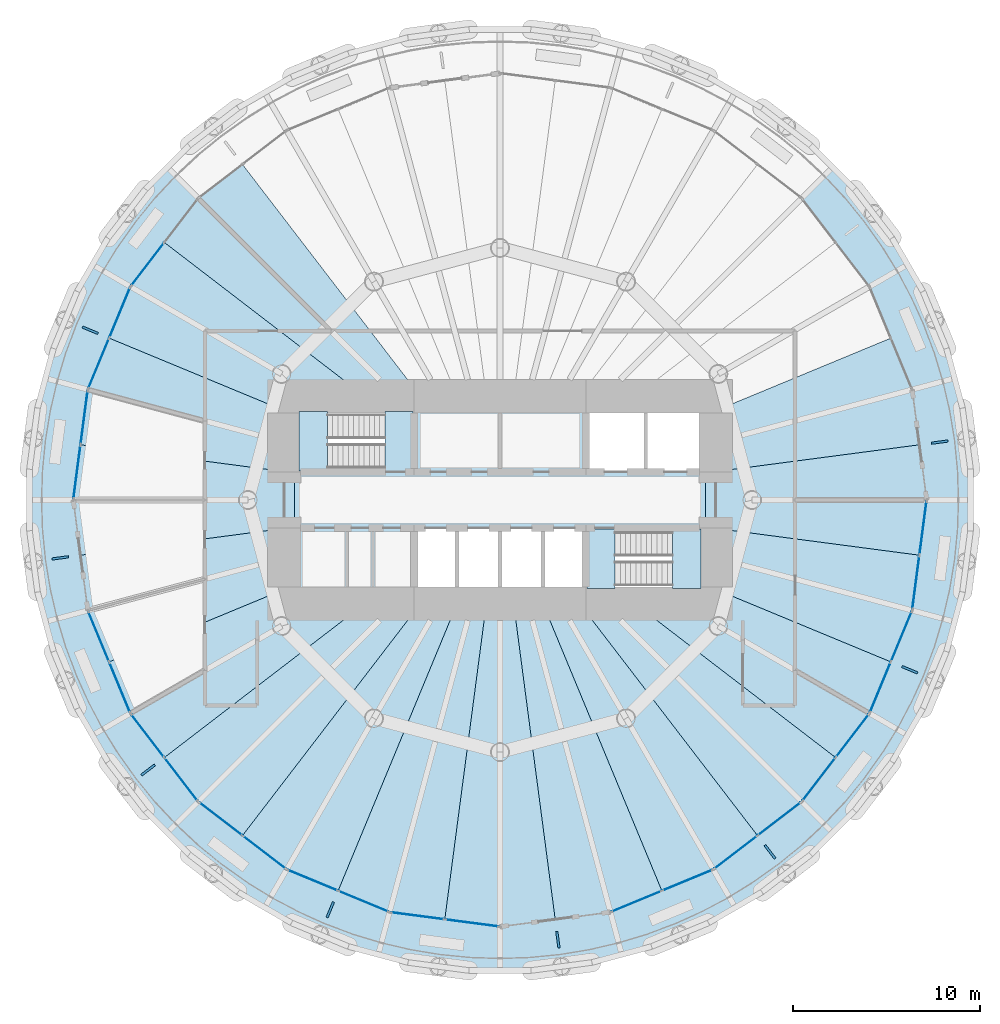
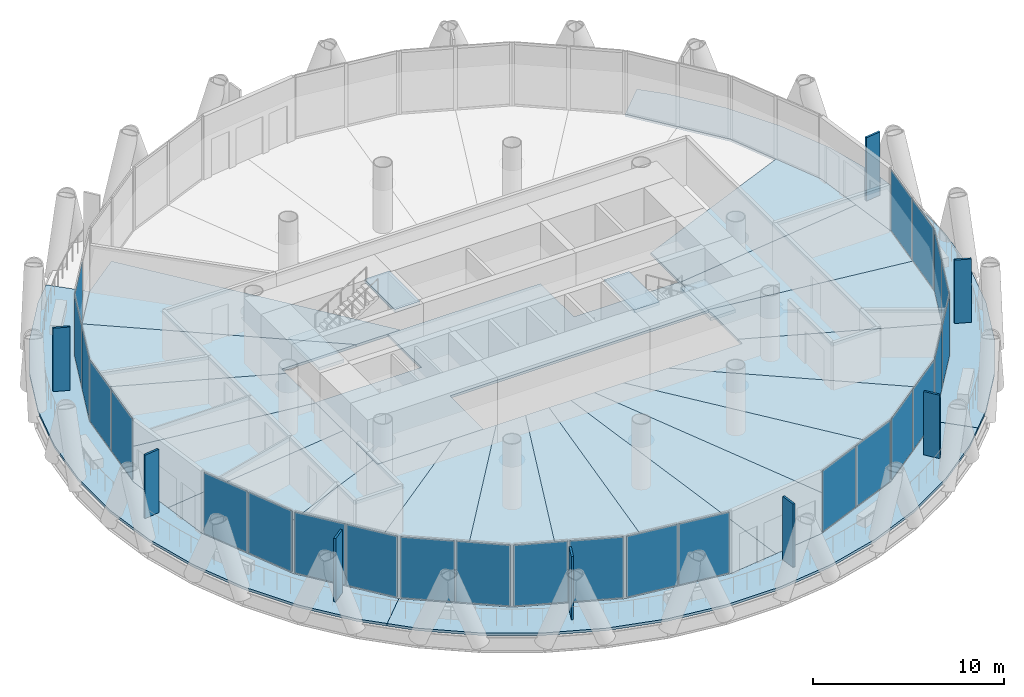
# One storey, part 8 of 15: 33 plates, 25 slabs, 15 elements without a shape of their own.
"""IFC4 building model written with IfcOpenShell, lengths in metres."""

from ifc_helpers import new_model, si_unit, direction, frame, origin, origin_2d, place, context, subcontext, project, spatial, polyline, rectangle, outline, extrude, material, layer, layer_set, type_object, element, aggregate, save


model = new_model("IFC4")

# Units and contexts
model_context = context("Model", 3, precision=1e-05, world=origin(), true_north=direction((0.0, 1.0)))
body_context = subcontext(model_context, "Body", "Model", "MODEL_VIEW")
ifc_project = project(units=[si_unit("LENGTHUNIT", "METRE"), si_unit("AREAUNIT", "SQUARE_METRE"), si_unit("VOLUMEUNIT", "CUBIC_METRE"), si_unit("PLANEANGLEUNIT", "RADIAN"), si_unit("MASSUNIT", "GRAM", prefix="KILO")], contexts=[model_context])

# Site, building, storey
site_placement = place(None, origin())
site = spatial("IfcSite", under=ifc_project, at=site_placement, CompositionType="ELEMENT")
building_placement = place(site_placement, origin())
building = spatial("IfcBuilding", under=site, at=building_placement, Name="Qaws Media Tower", CompositionType="ELEMENT")
storey_placement = place(building_placement, frame((0.0, 0.0, 114.199951171875)))
storey = spatial("IfcBuildingStorey", under=building, at=storey_placement, Name="L25", CompositionType="ELEMENT", Elevation=114.199951171875)

# Slabs
ifc_material_1 = material(Name="Concrete C35/45", Category="concrete")
ifc_layer_1 = layer(ifc_material_1, 0.159912109375)
ifc_layer_set_1 = layer_set([ifc_layer_1], Name="Composite balcony slab 160")
slab_type_1 = type_object("IfcSlabType", Name="Composite balcony slab 160", PredefinedType="FLOOR", material=ifc_layer_set_1)
slab_1_placement = place(storey_placement, frame((0.0, 0.0, -0.159912109375)))
element("IfcSlab", 1, at=slab_1_placement, inside=storey, type_object=slab_type_1, Name="S2 balcony slab L25 R10 to R16, movement joints on R10 and R16", PredefinedType="FLOOR", context=body_context, shape_type="SweptSolid", body=[
    extrude(outline(polyline([(41.01611328125, 33.3515625), (39.00537109375, 35.971923828125), (37.35400390625, 38.832275390625), (36.090087890625, 41.8837890625), (35.235107421875, 45.073974609375), (34.80419921875, 48.3486328125), (34.80419921875, 51.6513671875), (35.235107421875, 54.926025390625), (36.090087890625, 58.1162109375), (37.35400390625, 61.167724609375), (39.00537109375, 64.028076171875), (41.01611328125, 66.6484375), (42.183837890625, 67.816162109375), (43.842529296875, 66.157470703125), (40.211181640625, 61.425048828125), (37.9287109375, 55.9140625), (37.14990234375, 50.0), (37.9287109375, 44.0859375), (40.211181640625, 38.574951171875), (43.842529296875, 33.842529296875), (42.183837890625, 32.183837890625), (41.01611328125, 33.3515625)])), origin(), (0.0, 0.0, 1.0), 0.159912109375),
])
slab_2_placement = place(storey_placement, frame((0.0, 0.0, -0.159912109375)))
element("IfcSlab", 2, at=slab_2_placement, inside=storey, type_object=slab_type_1, Name="S2 balcony slab L25 R16 to R22, movement joints on R16 and R22", PredefinedType="FLOOR", context=body_context, shape_type="SweptSolid", body=[
    extrude(outline(polyline([(76.6484375, 31.01611328125), (74.028076171875, 29.00537109375), (71.167724609375, 27.35400390625), (68.1162109375, 26.090087890625), (64.926025390625, 25.235107421875), (61.6513671875, 24.80419921875), (58.3486328125, 24.80419921875), (55.073974609375, 25.235107421875), (51.8837890625, 26.090087890625), (48.832275390625, 27.35400390625), (45.971923828125, 29.00537109375), (43.3515625, 31.01611328125), (42.183837890625, 32.183837890625), (43.842529296875, 33.842529296875), (48.574951171875, 30.211181640625), (54.0859375, 27.9287109375), (60.0, 27.14990234375), (65.9140625, 27.9287109375), (71.425048828125, 30.211181640625), (76.157470703125, 33.842529296875), (77.816162109375, 32.183837890625), (76.6484375, 31.01611328125)])), origin(), (0.0, 0.0, 1.0), 0.159912109375),
])
slab_3_placement = place(storey_placement, frame((0.0, 0.0, -0.159912109375)))
element("IfcSlab", 3, at=slab_3_placement, inside=storey, type_object=slab_type_1, Name="S2 balcony slab L25 R22 to R04, movement joints on R22 and R04", PredefinedType="FLOOR", context=body_context, shape_type="SweptSolid", body=[
    extrude(outline(polyline([(84.764892578125, 45.073974609375), (83.909912109375, 41.8837890625), (82.64599609375, 38.832275390625), (80.99462890625, 35.971923828125), (78.98388671875, 33.3515625), (77.816162109375, 32.183837890625), (76.157470703125, 33.842529296875), (79.788818359375, 38.574951171875), (82.0712890625, 44.0859375), (82.85009765625, 50.0), (82.0712890625, 55.9140625), (79.788818359375, 61.425048828125), (76.157470703125, 66.157470703125), (77.816162109375, 67.816162109375), (78.98388671875, 66.6484375), (80.99462890625, 64.028076171875), (82.64599609375, 61.167724609375), (83.909912109375, 58.1162109375), (84.764892578125, 54.926025390625), (85.19580078125, 51.6513671875), (85.19580078125, 48.3486328125), (84.764892578125, 45.073974609375)])), origin(), (0.0, 0.0, 1.0), 0.159912109375),
])
ifc_material_2 = material(Name="Concrete C35/45", Category="concrete")
ifc_layer_2 = layer(ifc_material_2, 0.159912109375)
ifc_layer_set_2 = layer_set([ifc_layer_2], Name="Composite floor slab 160")
slab_type_2 = type_object("IfcSlabType", Name="Composite floor slab 160", PredefinedType="FLOOR", material=ifc_layer_set_2)
slab_4_placement = place(storey_placement, frame((0.0, 0.0, -0.159912109375)))
element("IfcSlab", 4, at=slab_4_placement, inside=storey, type_object=slab_type_2, Name="S1 core floor slab L25", PredefinedType="FLOOR", context=body_context, shape_type="SweptSolid", body=[
    extrude(outline(polyline([(71.0, 51.5), (71.0, 48.5), (55.39990234375, 48.5), (55.39990234375, 45.0), (49.0, 45.0), (49.0, 51.5), (55.39990234375, 51.5), (55.39990234375, 55.0), (64.60009765625, 55.0), (64.60009765625, 51.5), (71.0, 51.5)])), origin(), (0.0, 0.0, 1.0), 0.159912109375),
])
slab_5_placement = place(storey_placement, frame((0.0, 0.0, -0.159912109375)))
element("IfcSlab", 5, at=slab_5_placement, inside=storey, type_object=slab_type_2, Name="S1 floor panel L25 on R01", PredefinedType="FLOOR", context=body_context, shape_type="SweptSolid", body=[
    extrude(outline(polyline([(82.85009765625, 50.0), (82.460693359375, 47.04296875), (71.0, 48.5517578125), (71.0, 51.4482421875), (82.460693359375, 52.95703125), (82.85009765625, 50.0)])), origin(), (0.0, 0.0, 1.0), 0.159912109375),
])
slab_6_placement = place(storey_placement, frame((0.0, 0.0, -0.159912109375)))
element("IfcSlab", 6, at=slab_6_placement, inside=storey, type_object=slab_type_2, Name="S1 floor panel L25 on R02", PredefinedType="FLOOR", context=body_context, shape_type="SweptSolid", body=[
    extrude(outline(polyline([(82.0712890625, 55.9140625), (82.460693359375, 52.95703125), (71.0, 51.4482421875), (71.0, 54.556396484375), (80.929931640625, 58.66943359375), (82.0712890625, 55.9140625)])), origin(), (0.0, 0.0, 1.0), 0.159912109375),
])
slab_7_placement = place(storey_placement, frame((0.0, 0.0, -0.159912109375)))
element("IfcSlab", 7, at=slab_7_placement, inside=storey, type_object=slab_type_2, Name="S1 floor panel L25 on R10", PredefinedType="FLOOR", context=body_context, shape_type="SweptSolid", body=[
    extrude(outline(polyline([(43.842529296875, 66.157470703125), (46.208740234375, 67.972900390625), (56.163330078125, 55.0), (53.48388671875, 55.0), (42.027099609375, 63.791259765625), (43.842529296875, 66.157470703125)])), origin(), (0.0, 0.0, 1.0), 0.159912109375),
])
slab_8_placement = place(storey_placement, frame((0.0, 0.0, -0.159912109375)))
element("IfcSlab", 8, at=slab_8_placement, inside=storey, type_object=slab_type_2, Name="S1 floor panel L25 on R11", PredefinedType="FLOOR", context=body_context, shape_type="SweptSolid", body=[
    extrude(outline(polyline([(40.211181640625, 61.425048828125), (42.027099609375, 63.791259765625), (53.48388671875, 55.0), (49.0, 55.0), (49.0, 54.556396484375), (39.070068359375, 58.66943359375), (40.211181640625, 61.425048828125)])), origin(), (0.0, 0.0, 1.0), 0.159912109375),
])
slab_9_placement = place(storey_placement, frame((0.0, 0.0, -0.159912109375)))
element("IfcSlab", 9, at=slab_9_placement, inside=storey, type_object=slab_type_2, Name="S1 floor panel L25 on R12", PredefinedType="FLOOR", context=body_context, shape_type="SweptSolid", body=[
    extrude(outline(polyline([(37.9287109375, 55.9140625), (39.070068359375, 58.66943359375), (49.0, 54.556396484375), (49.0, 51.4482421875), (37.539306640625, 52.95703125), (37.9287109375, 55.9140625)])), origin(), (0.0, 0.0, 1.0), 0.159912109375),
])
slab_10_placement = place(storey_placement, frame((0.0, 0.0, -0.159912109375)))
element("IfcSlab", 10, at=slab_10_placement, inside=storey, type_object=slab_type_2, Name="S1 floor panel L25 on R13", PredefinedType="FLOOR", context=body_context, shape_type="SweptSolid", body=[
    extrude(outline(polyline([(37.14990234375, 50.0), (37.539306640625, 52.95703125), (49.0, 51.4482421875), (49.0, 48.5517578125), (37.539306640625, 47.04296875), (37.14990234375, 50.0)])), origin(), (0.0, 0.0, 1.0), 0.159912109375),
])
slab_11_placement = place(storey_placement, frame((0.0, 0.0, -0.159912109375)))
element("IfcSlab", 11, at=slab_11_placement, inside=storey, type_object=slab_type_2, Name="S1 floor panel L25 on R14", PredefinedType="FLOOR", context=body_context, shape_type="SweptSolid", body=[
    extrude(outline(polyline([(37.9287109375, 44.0859375), (37.539306640625, 47.04296875), (49.0, 48.5517578125), (49.0, 45.443603515625), (39.070068359375, 41.33056640625), (37.9287109375, 44.0859375)])), origin(), (0.0, 0.0, 1.0), 0.159912109375),
])
slab_12_placement = place(storey_placement, frame((0.0, 0.0, -0.159912109375)))
element("IfcSlab", 12, at=slab_12_placement, inside=storey, type_object=slab_type_2, Name="S1 floor panel L25 on R15", PredefinedType="FLOOR", context=body_context, shape_type="SweptSolid", body=[
    extrude(outline(polyline([(40.211181640625, 38.574951171875), (39.070068359375, 41.33056640625), (49.0, 45.443603515625), (49.0, 45.0), (53.48388671875, 45.0), (42.027099609375, 36.208740234375), (40.211181640625, 38.574951171875)])), origin(), (0.0, 0.0, 1.0), 0.159912109375),
])
slab_13_placement = place(storey_placement, frame((0.0, 0.0, -0.159912109375)))
element("IfcSlab", 13, at=slab_13_placement, inside=storey, type_object=slab_type_2, Name="S1 floor panel L25 on R16", PredefinedType="FLOOR", context=body_context, shape_type="SweptSolid", body=[
    extrude(outline(polyline([(43.842529296875, 33.842529296875), (42.027099609375, 36.208740234375), (53.48388671875, 45.0), (56.163330078125, 45.0), (46.208740234375, 32.027099609375), (43.842529296875, 33.842529296875)])), origin(), (0.0, 0.0, 1.0), 0.159912109375),
])
slab_14_placement = place(storey_placement, frame((0.0, 0.0, -0.159912109375)))
element("IfcSlab", 14, at=slab_14_placement, inside=storey, type_object=slab_type_2, Name="S1 floor panel L25 on R17", PredefinedType="FLOOR", context=body_context, shape_type="SweptSolid", body=[
    extrude(outline(polyline([(48.574951171875, 30.211181640625), (46.208740234375, 32.027099609375), (56.163330078125, 45.0), (57.928955078125, 45.0), (51.33056640625, 29.070068359375), (48.574951171875, 30.211181640625)])), origin(), (0.0, 0.0, 1.0), 0.159912109375),
])
slab_15_placement = place(storey_placement, frame((0.0, 0.0, -0.159912109375)))
element("IfcSlab", 15, at=slab_15_placement, inside=storey, type_object=slab_type_2, Name="S1 floor panel L25 on R18", PredefinedType="FLOOR", context=body_context, shape_type="SweptSolid", body=[
    extrude(outline(polyline([(54.0859375, 27.9287109375), (51.33056640625, 29.070068359375), (57.928955078125, 45.0), (59.341796875, 45.0), (57.04296875, 27.539306640625), (54.0859375, 27.9287109375)])), origin(), (0.0, 0.0, 1.0), 0.159912109375),
])
slab_16_placement = place(storey_placement, frame((0.0, 0.0, -0.159912109375)))
element("IfcSlab", 16, at=slab_16_placement, inside=storey, type_object=slab_type_2, Name="S1 floor panel L25 on R19", PredefinedType="FLOOR", context=body_context, shape_type="SweptSolid", body=[
    extrude(outline(polyline([(60.0, 27.14990234375), (57.04296875, 27.539306640625), (59.341796875, 45.0), (60.658203125, 45.0), (62.95703125, 27.539306640625), (60.0, 27.14990234375)])), origin(), (0.0, 0.0, 1.0), 0.159912109375),
])
slab_17_placement = place(storey_placement, frame((0.0, 0.0, -0.159912109375)))
element("IfcSlab", 17, at=slab_17_placement, inside=storey, type_object=slab_type_2, Name="S1 floor panel L25 on R20", PredefinedType="FLOOR", context=body_context, shape_type="SweptSolid", body=[
    extrude(outline(polyline([(65.9140625, 27.9287109375), (62.95703125, 27.539306640625), (60.658203125, 45.0), (62.071044921875, 45.0), (68.66943359375, 29.070068359375), (65.9140625, 27.9287109375)])), origin(), (0.0, 0.0, 1.0), 0.159912109375),
])
slab_18_placement = place(storey_placement, frame((0.0, 0.0, -0.159912109375)))
element("IfcSlab", 18, at=slab_18_placement, inside=storey, type_object=slab_type_2, Name="S1 floor panel L25 on R21", PredefinedType="FLOOR", context=body_context, shape_type="SweptSolid", body=[
    extrude(outline(polyline([(71.425048828125, 30.211181640625), (68.66943359375, 29.070068359375), (62.071044921875, 45.0), (63.836669921875, 45.0), (73.791259765625, 32.027099609375), (71.425048828125, 30.211181640625)])), origin(), (0.0, 0.0, 1.0), 0.159912109375),
])
slab_19_placement = place(storey_placement, frame((0.0, 0.0, -0.159912109375)))
element("IfcSlab", 19, at=slab_19_placement, inside=storey, type_object=slab_type_2, Name="S1 floor panel L25 on R22", PredefinedType="FLOOR", context=body_context, shape_type="SweptSolid", body=[
    extrude(outline(polyline([(76.157470703125, 33.842529296875), (73.791259765625, 32.027099609375), (63.836669921875, 45.0), (66.51611328125, 45.0), (77.972900390625, 36.208740234375), (76.157470703125, 33.842529296875)])), origin(), (0.0, 0.0, 1.0), 0.159912109375),
])
slab_20_placement = place(storey_placement, frame((0.0, 0.0, -0.159912109375)))
element("IfcSlab", 20, at=slab_20_placement, inside=storey, type_object=slab_type_2, Name="S1 floor panel L25 on R23", PredefinedType="FLOOR", context=body_context, shape_type="SweptSolid", body=[
    extrude(outline(polyline([(79.788818359375, 38.574951171875), (77.972900390625, 36.208740234375), (66.51611328125, 45.0), (71.0, 45.0), (71.0, 45.443603515625), (80.929931640625, 41.33056640625), (79.788818359375, 38.574951171875)])), origin(), (0.0, 0.0, 1.0), 0.159912109375),
])
slab_21_placement = place(storey_placement, frame((0.0, 0.0, -0.159912109375)))
element("IfcSlab", 21, at=slab_21_placement, inside=storey, type_object=slab_type_2, Name="S1 floor panel L25 on R24", PredefinedType="FLOOR", context=body_context, shape_type="SweptSolid", body=[
    extrude(outline(polyline([(80.929931640625, 41.33056640625), (71.0, 45.443603515625), (71.0, 48.5517578125), (82.460693359375, 47.04296875), (82.0712890625, 44.0859375), (80.929931640625, 41.33056640625)])), origin(), (0.0, 0.0, 1.0), 0.159912109375),
])

# Curtain wall, plate
ifc_material_3 = material(Name="Aluminium and clear glass", Category="aluminium")
curtain_wall_type = type_object("IfcCurtainWallType", Name="Unitised curtain wall CW-B", PredefinedType="NOTDEFINED", material=ifc_material_3)
curtain_wall_1_placement = place(storey_placement, origin())
curtain_wall_1 = element("IfcCurtainWall", 22, at=curtain_wall_1_placement, inside=storey, type_object=curtain_wall_type, Name="CWB curtain wall L25-10", PredefinedType="NOTDEFINED")
ifc_material_4 = material(Name="Clear laminated double glazing", Category="glass")
ifc_layer_3 = layer(ifc_material_4, 0.031982421875)
ifc_layer_set_3 = layer_set([ifc_layer_3], Name="Curtain wall glass unit 32")
plate_type_1 = type_object("IfcPlateType", Name="Curtain wall glass unit 32", PredefinedType="CURTAIN_PANEL", material=ifc_layer_set_3)
plate_1_placement = place(storey_placement, frame((41.13134765625, 62.6240234375, 0.080078125), z_axis=(0.0, 0.0, 1.0), x_axis=(-0.608761369427, -0.79335338601, 0.0)))
plate_1 = element("IfcPlate", 23, at=plate_1_placement, type_object=plate_type_1, Name="CWB panel 2.1", PredefinedType="CURTAIN_PANEL", context=body_context, shape_type="SweptSolid", body=[
    extrude(rectangle(XDim=2.862548828125, YDim=0.031982421875, at=origin_2d()), origin(), (0.0, 0.0, 1.0), 3.8798828125),
])
aggregate(curtain_wall_1, [plate_1])

# Curtain wall, plates
curtain_wall_2_placement = place(storey_placement, origin())
curtain_wall_2 = element("IfcCurtainWall", 24, at=curtain_wall_2_placement, inside=storey, type_object=curtain_wall_type, Name="CWB curtain wall L25-11", PredefinedType="NOTDEFINED")
plate_2_placement = place(storey_placement, frame((39.633056640625, 60.02880859375, 0.080078125), z_axis=(0.0, 0.0, 1.0), x_axis=(-0.382683471145, -0.923879516448, 0.0)))
plate_2 = element("IfcPlate", 25, at=plate_2_placement, type_object=plate_type_1, Name="CWB panel 1.1", PredefinedType="CURTAIN_PANEL", context=body_context, shape_type="SweptSolid", body=[
    extrude(rectangle(XDim=2.862548828125, YDim=0.031982421875, at=origin_2d()), origin(), (0.0, 0.0, 1.0), 3.8798828125),
])
plate_3_placement = place(storey_placement, frame((38.5068359375, 57.310302734375, 0.080078125), z_axis=(0.0, 0.0, 1.0), x_axis=(-0.382683471145, -0.923879516448, 0.0)))
plate_3 = element("IfcPlate", 26, at=plate_3_placement, type_object=plate_type_1, Name="CWB panel 2.1", PredefinedType="CURTAIN_PANEL", context=body_context, shape_type="SweptSolid", body=[
    extrude(rectangle(XDim=2.862548828125, YDim=0.031982421875, at=origin_2d()), origin(), (0.0, 0.0, 1.0), 3.8798828125),
])
aggregate(curtain_wall_2, [plate_2, plate_3])

curtain_wall_3_placement = place(storey_placement, origin())
curtain_wall_3 = element("IfcCurtainWall", 27, at=curtain_wall_3_placement, inside=storey, type_object=curtain_wall_type, Name="CWB curtain wall L25-12", PredefinedType="NOTDEFINED")
plate_4_placement = place(storey_placement, frame((37.7314453125, 54.415771484375, 0.080078125), z_axis=(0.0, 0.0, 1.0), x_axis=(-0.130526217674, -0.991444858023, 0.0)))
plate_4 = element("IfcPlate", 28, at=plate_4_placement, type_object=plate_type_1, Name="CWB panel 1.1", PredefinedType="CURTAIN_PANEL", context=body_context, shape_type="SweptSolid", body=[
    extrude(rectangle(XDim=2.862548828125, YDim=0.031982421875, at=origin_2d()), origin(), (0.0, 0.0, 1.0), 3.8798828125),
])
plate_5_placement = place(storey_placement, frame((37.34716796875, 51.498291015625, 0.080078125), z_axis=(0.0, 0.0, 1.0), x_axis=(-0.130526217674, -0.991444858023, 0.0)))
plate_5 = element("IfcPlate", 29, at=plate_5_placement, type_object=plate_type_1, Name="CWB panel 2.1", PredefinedType="CURTAIN_PANEL", context=body_context, shape_type="SweptSolid", body=[
    extrude(rectangle(XDim=2.862548828125, YDim=0.031982421875, at=origin_2d()), origin(), (0.0, 0.0, 1.0), 3.8798828125),
])
aggregate(curtain_wall_3, [plate_4, plate_5])

curtain_wall_4_placement = place(storey_placement, origin())
curtain_wall_4 = element("IfcCurtainWall", 30, at=curtain_wall_4_placement, inside=storey, type_object=curtain_wall_type, Name="CWB curtain wall L25-14", PredefinedType="NOTDEFINED")
plate_6_placement = place(storey_placement, frame((38.5068359375, 42.689697265625, 0.080078125), z_axis=(0.0, 0.0, 1.0), x_axis=(0.382683471145, -0.923879516448, 0.0)))
plate_6 = element("IfcPlate", 31, at=plate_6_placement, type_object=plate_type_1, Name="CWB panel 1.1", PredefinedType="CURTAIN_PANEL", context=body_context, shape_type="SweptSolid", body=[
    extrude(rectangle(XDim=2.862548828125, YDim=0.031982421875, at=origin_2d()), origin(), (0.0, 0.0, 1.0), 3.8798828125),
])
plate_7_placement = place(storey_placement, frame((39.633056640625, 39.97119140625, 0.080078125), z_axis=(0.0, 0.0, 1.0), x_axis=(0.382683471145, -0.923879516448, 0.0)))
plate_7 = element("IfcPlate", 32, at=plate_7_placement, type_object=plate_type_1, Name="CWB panel 2.1", PredefinedType="CURTAIN_PANEL", context=body_context, shape_type="SweptSolid", body=[
    extrude(rectangle(XDim=2.862548828125, YDim=0.031982421875, at=origin_2d()), origin(), (0.0, 0.0, 1.0), 3.8798828125),
])
aggregate(curtain_wall_4, [plate_6, plate_7])

curtain_wall_5_placement = place(storey_placement, origin())
curtain_wall_5 = element("IfcCurtainWall", 33, at=curtain_wall_5_placement, inside=storey, type_object=curtain_wall_type, Name="CWB curtain wall L25-15", PredefinedType="NOTDEFINED")
plate_8_placement = place(storey_placement, frame((41.13134765625, 37.3759765625, 0.080078125), z_axis=(0.0, 0.0, 1.0), x_axis=(0.608761369427, -0.79335338601, 0.0)))
plate_8 = element("IfcPlate", 34, at=plate_8_placement, type_object=plate_type_1, Name="CWB panel 1.1", PredefinedType="CURTAIN_PANEL", context=body_context, shape_type="SweptSolid", body=[
    extrude(rectangle(XDim=2.862548828125, YDim=0.031982421875, at=origin_2d()), origin(), (0.0, 0.0, 1.0), 3.8798828125),
])
plate_9_placement = place(storey_placement, frame((42.922607421875, 35.04150390625, 0.080078125), z_axis=(0.0, 0.0, 1.0), x_axis=(0.608761369427, -0.79335338601, 0.0)))
plate_9 = element("IfcPlate", 35, at=plate_9_placement, type_object=plate_type_1, Name="CWB panel 2.1", PredefinedType="CURTAIN_PANEL", context=body_context, shape_type="SweptSolid", body=[
    extrude(rectangle(XDim=2.862548828125, YDim=0.031982421875, at=origin_2d()), origin(), (0.0, 0.0, 1.0), 3.8798828125),
])
aggregate(curtain_wall_5, [plate_8, plate_9])

curtain_wall_6_placement = place(storey_placement, origin())
curtain_wall_6 = element("IfcCurtainWall", 36, at=curtain_wall_6_placement, inside=storey, type_object=curtain_wall_type, Name="CWB curtain wall L25-16", PredefinedType="NOTDEFINED")
plate_10_placement = place(storey_placement, frame((45.04150390625, 32.922607421875, 0.080078125), z_axis=(0.0, 0.0, 1.0), x_axis=(0.79335338601, -0.608761369427, 0.0)))
plate_10 = element("IfcPlate", 37, at=plate_10_placement, type_object=plate_type_1, Name="CWB panel 1.1", PredefinedType="CURTAIN_PANEL", context=body_context, shape_type="SweptSolid", body=[
    extrude(rectangle(XDim=2.862548828125, YDim=0.031982421875, at=origin_2d()), origin(), (0.0, 0.0, 1.0), 3.8798828125),
])
plate_11_placement = place(storey_placement, frame((47.3759765625, 31.13134765625, 0.080078125), z_axis=(0.0, 0.0, 1.0), x_axis=(0.79335338601, -0.608761369427, 0.0)))
plate_11 = element("IfcPlate", 38, at=plate_11_placement, type_object=plate_type_1, Name="CWB panel 2.1", PredefinedType="CURTAIN_PANEL", context=body_context, shape_type="SweptSolid", body=[
    extrude(rectangle(XDim=2.862548828125, YDim=0.031982421875, at=origin_2d()), origin(), (0.0, 0.0, 1.0), 3.8798828125),
])
aggregate(curtain_wall_6, [plate_10, plate_11])

curtain_wall_7_placement = place(storey_placement, origin())
curtain_wall_7 = element("IfcCurtainWall", 39, at=curtain_wall_7_placement, inside=storey, type_object=curtain_wall_type, Name="CWB curtain wall L25-17", PredefinedType="NOTDEFINED")
plate_12_placement = place(storey_placement, frame((49.97119140625, 29.633056640625, 0.080078125), z_axis=(0.0, 0.0, 1.0), x_axis=(0.923879516448, -0.382683471145, 0.0)))
plate_12 = element("IfcPlate", 40, at=plate_12_placement, type_object=plate_type_1, Name="CWB panel 1.1", PredefinedType="CURTAIN_PANEL", context=body_context, shape_type="SweptSolid", body=[
    extrude(rectangle(XDim=2.862548828125, YDim=0.031982421875, at=origin_2d()), origin(), (0.0, 0.0, 1.0), 3.8798828125),
])
plate_13_placement = place(storey_placement, frame((52.689697265625, 28.5068359375, 0.080078125), z_axis=(0.0, 0.0, 1.0), x_axis=(0.923879516448, -0.382683471145, 0.0)))
plate_13 = element("IfcPlate", 41, at=plate_13_placement, type_object=plate_type_1, Name="CWB panel 2.1", PredefinedType="CURTAIN_PANEL", context=body_context, shape_type="SweptSolid", body=[
    extrude(rectangle(XDim=2.862548828125, YDim=0.031982421875, at=origin_2d()), origin(), (0.0, 0.0, 1.0), 3.8798828125),
])
aggregate(curtain_wall_7, [plate_12, plate_13])

curtain_wall_8_placement = place(storey_placement, origin())
curtain_wall_8 = element("IfcCurtainWall", 42, at=curtain_wall_8_placement, inside=storey, type_object=curtain_wall_type, Name="CWB curtain wall L25-18", PredefinedType="NOTDEFINED")
plate_14_placement = place(storey_placement, frame((55.584228515625, 27.7314453125, 0.080078125), z_axis=(0.0, 0.0, 1.0), x_axis=(0.991444858023, -0.130526217674, 0.0)))
plate_14 = element("IfcPlate", 43, at=plate_14_placement, type_object=plate_type_1, Name="CWB panel 1.1", PredefinedType="CURTAIN_PANEL", context=body_context, shape_type="SweptSolid", body=[
    extrude(rectangle(XDim=2.862548828125, YDim=0.031982421875, at=origin_2d()), origin(), (0.0, 0.0, 1.0), 3.8798828125),
])
plate_15_placement = place(storey_placement, frame((58.501708984375, 27.34716796875, 0.080078125), z_axis=(0.0, 0.0, 1.0), x_axis=(0.991444858023, -0.130526217674, 0.0)))
plate_15 = element("IfcPlate", 44, at=plate_15_placement, type_object=plate_type_1, Name="CWB panel 2.1", PredefinedType="CURTAIN_PANEL", context=body_context, shape_type="SweptSolid", body=[
    extrude(rectangle(XDim=2.862548828125, YDim=0.031982421875, at=origin_2d()), origin(), (0.0, 0.0, 1.0), 3.8798828125),
])
aggregate(curtain_wall_8, [plate_14, plate_15])

curtain_wall_9_placement = place(storey_placement, origin())
curtain_wall_9 = element("IfcCurtainWall", 45, at=curtain_wall_9_placement, inside=storey, type_object=curtain_wall_type, Name="CWB curtain wall L25-20", PredefinedType="NOTDEFINED")
plate_16_placement = place(storey_placement, frame((67.310302734375, 28.5068359375, 0.080078125), z_axis=(0.0, 0.0, 1.0), x_axis=(0.923879516448, 0.382683471145, 0.0)))
plate_16 = element("IfcPlate", 46, at=plate_16_placement, type_object=plate_type_1, Name="CWB panel 1.1", PredefinedType="CURTAIN_PANEL", context=body_context, shape_type="SweptSolid", body=[
    extrude(rectangle(XDim=2.862548828125, YDim=0.031982421875, at=origin_2d()), origin(), (0.0, 0.0, 1.0), 3.8798828125),
])
plate_17_placement = place(storey_placement, frame((70.02880859375, 29.633056640625, 0.080078125), z_axis=(0.0, 0.0, 1.0), x_axis=(0.923879516448, 0.382683471145, 0.0)))
plate_17 = element("IfcPlate", 47, at=plate_17_placement, type_object=plate_type_1, Name="CWB panel 2.1", PredefinedType="CURTAIN_PANEL", context=body_context, shape_type="SweptSolid", body=[
    extrude(rectangle(XDim=2.862548828125, YDim=0.031982421875, at=origin_2d()), origin(), (0.0, 0.0, 1.0), 3.8798828125),
])
aggregate(curtain_wall_9, [plate_16, plate_17])

curtain_wall_10_placement = place(storey_placement, origin())
curtain_wall_10 = element("IfcCurtainWall", 48, at=curtain_wall_10_placement, inside=storey, type_object=curtain_wall_type, Name="CWB curtain wall L25-21", PredefinedType="NOTDEFINED")
plate_18_placement = place(storey_placement, frame((72.6240234375, 31.13134765625, 0.080078125), z_axis=(0.0, 0.0, 1.0), x_axis=(0.79335338601, 0.608761369427, 0.0)))
plate_18 = element("IfcPlate", 49, at=plate_18_placement, type_object=plate_type_1, Name="CWB panel 1.1", PredefinedType="CURTAIN_PANEL", context=body_context, shape_type="SweptSolid", body=[
    extrude(rectangle(XDim=2.862548828125, YDim=0.031982421875, at=origin_2d()), origin(), (0.0, 0.0, 1.0), 3.8798828125),
])
plate_19_placement = place(storey_placement, frame((74.95849609375, 32.922607421875, 0.080078125), z_axis=(0.0, 0.0, 1.0), x_axis=(0.79335338601, 0.608761369427, 0.0)))
plate_19 = element("IfcPlate", 50, at=plate_19_placement, type_object=plate_type_1, Name="CWB panel 2.1", PredefinedType="CURTAIN_PANEL", context=body_context, shape_type="SweptSolid", body=[
    extrude(rectangle(XDim=2.862548828125, YDim=0.031982421875, at=origin_2d()), origin(), (0.0, 0.0, 1.0), 3.8798828125),
])
aggregate(curtain_wall_10, [plate_18, plate_19])

curtain_wall_11_placement = place(storey_placement, origin())
curtain_wall_11 = element("IfcCurtainWall", 51, at=curtain_wall_11_placement, inside=storey, type_object=curtain_wall_type, Name="CWB curtain wall L25-22", PredefinedType="NOTDEFINED")
plate_20_placement = place(storey_placement, frame((77.077392578125, 35.04150390625, 0.080078125), z_axis=(0.0, 0.0, 1.0), x_axis=(0.608761369427, 0.79335338601, 0.0)))
plate_20 = element("IfcPlate", 52, at=plate_20_placement, type_object=plate_type_1, Name="CWB panel 1.1", PredefinedType="CURTAIN_PANEL", context=body_context, shape_type="SweptSolid", body=[
    extrude(rectangle(XDim=2.862548828125, YDim=0.031982421875, at=origin_2d()), origin(), (0.0, 0.0, 1.0), 3.8798828125),
])
plate_21_placement = place(storey_placement, frame((78.86865234375, 37.3759765625, 0.080078125), z_axis=(0.0, 0.0, 1.0), x_axis=(0.608761369427, 0.79335338601, 0.0)))
plate_21 = element("IfcPlate", 53, at=plate_21_placement, type_object=plate_type_1, Name="CWB panel 2.1", PredefinedType="CURTAIN_PANEL", context=body_context, shape_type="SweptSolid", body=[
    extrude(rectangle(XDim=2.862548828125, YDim=0.031982421875, at=origin_2d()), origin(), (0.0, 0.0, 1.0), 3.8798828125),
])
aggregate(curtain_wall_11, [plate_20, plate_21])

curtain_wall_12_placement = place(storey_placement, origin())
curtain_wall_12 = element("IfcCurtainWall", 54, at=curtain_wall_12_placement, inside=storey, type_object=curtain_wall_type, Name="CWB curtain wall L25-23", PredefinedType="NOTDEFINED")
plate_22_placement = place(storey_placement, frame((80.366943359375, 39.97119140625, 0.080078125), z_axis=(0.0, 0.0, 1.0), x_axis=(0.382683471145, 0.923879516448, 0.0)))
plate_22 = element("IfcPlate", 55, at=plate_22_placement, type_object=plate_type_1, Name="CWB panel 1.1", PredefinedType="CURTAIN_PANEL", context=body_context, shape_type="SweptSolid", body=[
    extrude(rectangle(XDim=2.862548828125, YDim=0.031982421875, at=origin_2d()), origin(), (0.0, 0.0, 1.0), 3.8798828125),
])
plate_23_placement = place(storey_placement, frame((81.4931640625, 42.689697265625, 0.080078125), z_axis=(0.0, 0.0, 1.0), x_axis=(0.382683471145, 0.923879516448, 0.0)))
plate_23 = element("IfcPlate", 56, at=plate_23_placement, type_object=plate_type_1, Name="CWB panel 2.1", PredefinedType="CURTAIN_PANEL", context=body_context, shape_type="SweptSolid", body=[
    extrude(rectangle(XDim=2.862548828125, YDim=0.031982421875, at=origin_2d()), origin(), (0.0, 0.0, 1.0), 3.8798828125),
])
aggregate(curtain_wall_12, [plate_22, plate_23])

curtain_wall_13_placement = place(storey_placement, origin())
curtain_wall_13 = element("IfcCurtainWall", 57, at=curtain_wall_13_placement, inside=storey, type_object=curtain_wall_type, Name="CWB curtain wall L25-24", PredefinedType="NOTDEFINED")
plate_24_placement = place(storey_placement, frame((82.2685546875, 45.584228515625, 0.080078125), z_axis=(0.0, 0.0, 1.0), x_axis=(0.130526217674, 0.991444858023, 0.0)))
plate_24 = element("IfcPlate", 58, at=plate_24_placement, type_object=plate_type_1, Name="CWB panel 1.1", PredefinedType="CURTAIN_PANEL", context=body_context, shape_type="SweptSolid", body=[
    extrude(rectangle(XDim=2.862548828125, YDim=0.031982421875, at=origin_2d()), origin(), (0.0, 0.0, 1.0), 3.8798828125),
])
plate_25_placement = place(storey_placement, frame((82.65283203125, 48.501708984375, 0.080078125), z_axis=(0.0, 0.0, 1.0), x_axis=(0.130526217674, 0.991444858023, 0.0)))
plate_25 = element("IfcPlate", 59, at=plate_25_placement, type_object=plate_type_1, Name="CWB panel 2.1", PredefinedType="CURTAIN_PANEL", context=body_context, shape_type="SweptSolid", body=[
    extrude(rectangle(XDim=2.862548828125, YDim=0.031982421875, at=origin_2d()), origin(), (0.0, 0.0, 1.0), 3.8798828125),
])
aggregate(curtain_wall_13, [plate_24, plate_25])

# Plates
ifc_material_5 = material(Name="Precast concrete screen fin", Category="concrete")
ifc_layer_4 = layer(ifc_material_5, 0.1201171875)
ifc_layer_set_4 = layer_set([ifc_layer_4], Name="Screen fin 120x900")
plate_type_2 = type_object("IfcPlateType", Name="Screen fin 120x900", PredefinedType="USERDEFINED", material=ifc_layer_set_4)
for number, where, z_axis, x_axis, name in (
    (60, (83.546875, 53.10009765625, 0.0), (0.0, 0.0, 1.0), (0.991444861374, 0.13052619222, 0.0), "SCR1 screen fin L25-01"),
    (61, (38.057861328125, 59.088623046875, 0.0), (0.0, 0.0, 1.0), (-0.923879532511, 0.382683432365, 0.0), "SCR1 screen fin L25-06"),
    (62, (36.453125, 46.89990234375, 0.0), (0.0, 0.0, 1.0), (-0.991444861374, -0.13052619222, 0.0), "SCR1 screen fin L25-07"),
    (63, (41.157958984375, 35.5419921875, 0.0), (0.0, 0.0, 1.0), (-0.793353340291, -0.608761429009, 0.0), "SCR1 screen fin L25-08"),
    (64, (50.911376953125, 28.057861328125, 0.0), (0.0, 0.0, 1.0), (-0.382683432365, -0.923879532511, 0.0), "SCR1 screen fin L25-09"),
    (65, (63.10009765625, 26.453125, 0.0), (0.0, 0.0, 1.0), (0.13052619222, -0.991444861374, 0.0), "SCR1 screen fin L25-10"),
    (66, (74.4580078125, 31.157958984375, 0.0), (0.0, 0.0, 1.0), (0.608761429009, -0.793353340291, 0.0), "SCR1 screen fin L25-11"),
    (67, (81.942138671875, 40.911376953125, 0.0), (0.0, 0.0, 1.0), (0.923879532511, -0.382683432365, 0.0), "SCR1 screen fin L25-12"),
):
    element("IfcPlate", number, at=place(storey_placement, frame(where, z_axis=z_axis, x_axis=x_axis)), inside=storey, type_object=plate_type_2, Name=name, ObjectType="SCREEN", PredefinedType="USERDEFINED", context=body_context, shape_type="SweptSolid", body=[
        extrude(rectangle(XDim=0.89990234375, YDim=0.1201171875, at=origin_2d()), origin(), (0.0, 0.0, 1.0), 4.0400390625),
    ])

# Stair, slabs
ifc_material_6 = material(Name="Concrete C40/50", Category="concrete")
stair_type = type_object("IfcStairType", Name="Exit stair", PredefinedType="HALF_TURN_STAIR", material=ifc_material_6)
stair_1_placement = place(storey_placement, origin())
stair_1 = element("IfcStair", 68, at=stair_1_placement, inside=storey, type_object=stair_type, Name="S1 exit stair L25", PredefinedType="HALF_TURN_STAIR")
ifc_material_7 = material(Name="Concrete C40/50", Category="concrete")
ifc_layer_5 = layer(ifc_material_7, 0.199951171875)
ifc_layer_set_5 = layer_set([ifc_layer_5], Name="Stair landing 200")
slab_type_3 = type_object("IfcSlabType", Name="Stair landing 200", PredefinedType="LANDING", material=ifc_layer_set_5)
slab_22_placement = place(storey_placement, frame((0.0, 0.0, 1.900146484375)))
slab_22 = element("IfcSlab", 69, at=slab_22_placement, type_object=slab_type_3, Name="S1 landing 1", PredefinedType="LANDING", context=body_context, shape_type="SweptSolid", body=[
    extrude(outline(polyline([(49.25, 51.550048828125), (50.760009765625, 51.550048828125), (50.760009765625, 54.75), (49.25, 54.75), (49.25, 51.550048828125)])), origin(), (0.0, 0.0, 1.0), 0.199951171875),
])
slab_23_placement = place(storey_placement, frame((0.0, 0.0, 4.0)))
slab_23 = element("IfcSlab", 70, at=slab_23_placement, type_object=slab_type_3, Name="S1 landing 2", PredefinedType="LANDING", context=body_context, shape_type="SweptSolid", body=[
    extrude(outline(polyline([(53.840087890625, 51.550048828125), (55.35009765625, 51.550048828125), (55.35009765625, 54.75), (53.840087890625, 54.75), (53.840087890625, 51.550048828125)])), origin(), (0.0, 0.0, 1.0), 0.199951171875),
])
aggregate(stair_1, [slab_22, slab_23])

stair_2_placement = place(storey_placement, origin())
stair_2 = element("IfcStair", 71, at=stair_2_placement, inside=storey, type_object=stair_type, Name="S2 exit stair L25", PredefinedType="HALF_TURN_STAIR")
slab_24_placement = place(storey_placement, frame((0.0, 0.0, 1.900146484375)))
slab_24 = element("IfcSlab", 72, at=slab_24_placement, type_object=slab_type_3, Name="S2 landing 1", PredefinedType="LANDING", context=body_context, shape_type="SweptSolid", body=[
    extrude(outline(polyline([(69.239990234375, 45.25), (70.75, 45.25), (70.75, 48.449951171875), (69.239990234375, 48.449951171875), (69.239990234375, 45.25)])), origin(), (0.0, 0.0, 1.0), 0.199951171875),
])
slab_25_placement = place(storey_placement, frame((0.0, 0.0, 4.0)))
slab_25 = element("IfcSlab", 73, at=slab_25_placement, type_object=slab_type_3, Name="S2 landing 2", PredefinedType="LANDING", context=body_context, shape_type="SweptSolid", body=[
    extrude(outline(polyline([(64.64990234375, 45.25), (66.159912109375, 45.25), (66.159912109375, 48.449951171875), (64.64990234375, 48.449951171875), (64.64990234375, 45.25)])), origin(), (0.0, 0.0, 1.0), 0.199951171875),
])
aggregate(stair_2, [slab_24, slab_25])

save(model, "model.ifc")
